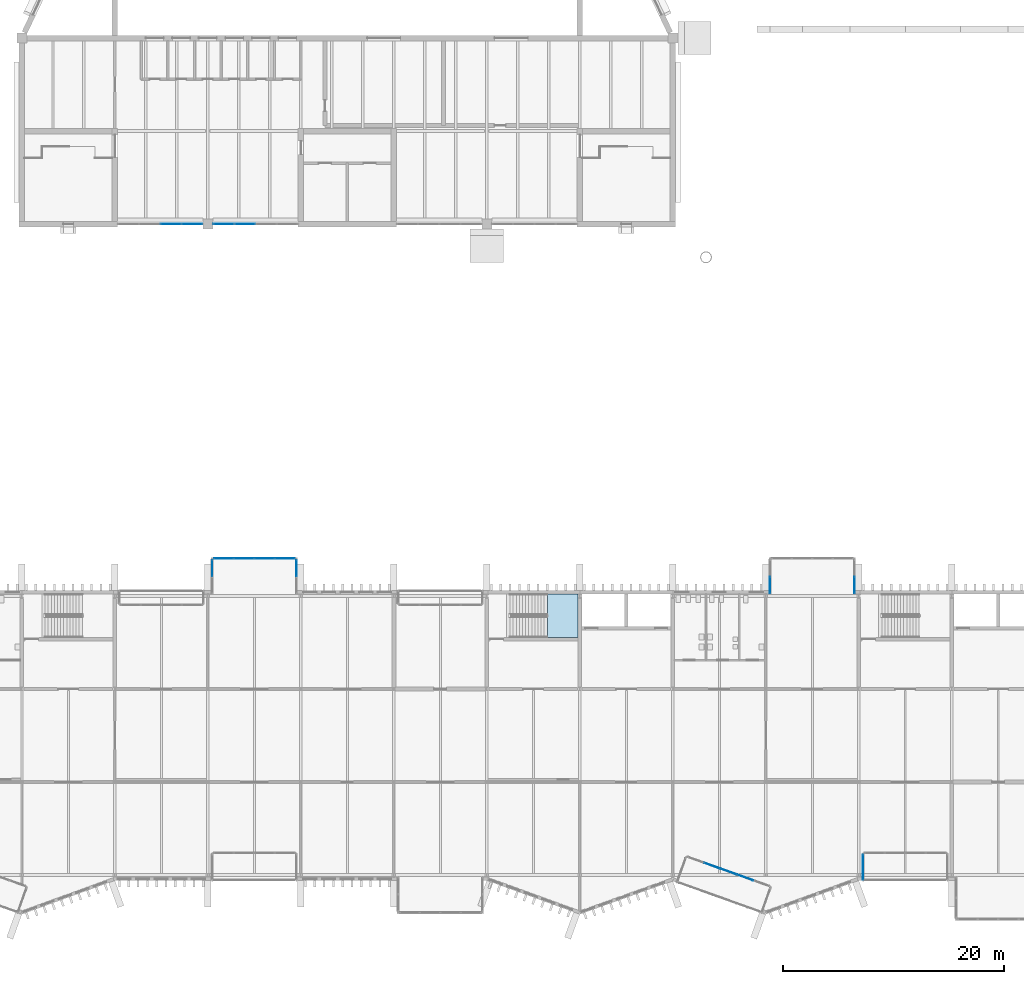
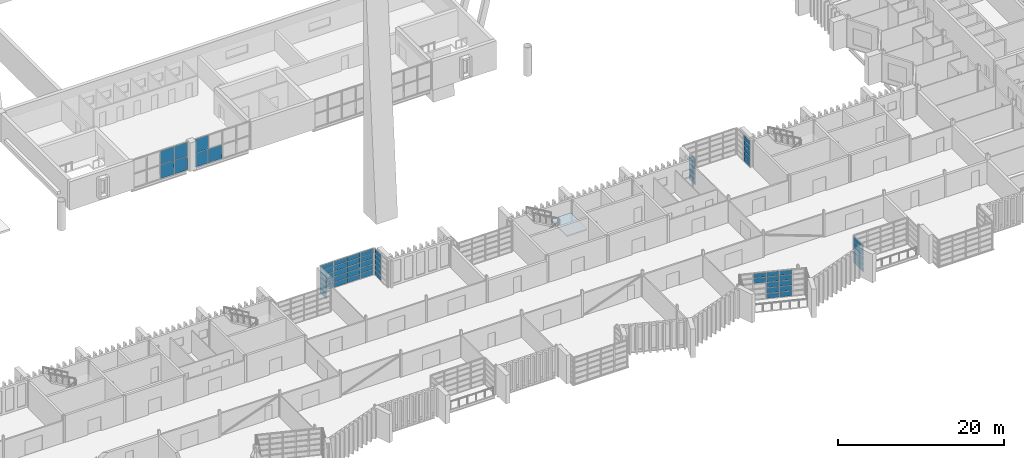
# One storey, part 48 of 88: 64 plates, 1 slab, 10 elements without a shape of their own.
"""IFC4 building model written with IfcOpenShell, lengths in metres."""

from ifc_helpers import new_model, si_unit, direction, frame, origin, origin_2d, place, context, subcontext, project, spatial, polyline, rectangle, outline, extrude, material, layer, layer_set, type_object, element, aggregate, save


model = new_model("IFC4")

# Units and contexts
model_context = context("Model", 3, precision=1e-05, world=origin(), true_north=direction((0.0, 1.0)))
body_context = subcontext(model_context, "Body", "Model", "MODEL_VIEW")
ifc_project = project(units=[si_unit("LENGTHUNIT", "METRE"), si_unit("AREAUNIT", "SQUARE_METRE"), si_unit("VOLUMEUNIT", "CUBIC_METRE"), si_unit("PLANEANGLEUNIT", "RADIAN"), si_unit("MASSUNIT", "GRAM", prefix="KILO")], contexts=[model_context])

# Site, building, storey
site_placement = place(None, origin())
site = spatial("IfcSite", under=ifc_project, at=site_placement, CompositionType="ELEMENT")
building_placement = place(site_placement, origin())
building = spatial("IfcBuilding", under=site, at=building_placement, Name="Cresset Court Congress Hotel", CompositionType="ELEMENT")
storey_placement = place(building_placement, frame((0.0, 0.0, 14.39990234375)))
storey = spatial("IfcBuildingStorey", under=building, at=storey_placement, Name="L03", CompositionType="ELEMENT", Elevation=14.39990234375)

# Curtain wall, plates
ifc_material_1 = material(Name="Aluminium frame with double glazing", Category="aluminium")
ifc_layer_1 = layer(ifc_material_1, 0.199951171875)
ifc_layer_set_1 = layer_set([ifc_layer_1], Name="Glazed box curtain wall 1680 module")
curtain_wall_type_1 = type_object("IfcCurtainWallType", Name="Glazed box curtain wall 1680 module", PredefinedType="NOTDEFINED", material=ifc_layer_set_1)
curtain_wall_1_placement = place(storey_placement, origin())
curtain_wall_1 = element("IfcCurtainWall", 1, at=curtain_wall_1_placement, inside=storey, type_object=curtain_wall_type_1, Name="Glazed box S0320 side", PredefinedType="NOTDEFINED")
ifc_material_2 = material(Name="Toughened double glazing", Category="glass")
ifc_layer_2 = layer(ifc_material_2, 0.028076171875)
ifc_layer_set_2 = layer_set([ifc_layer_2], Name="Box glass panel 28")
plate_type_1 = type_object("IfcPlateType", Name="Box glass panel 28", PredefinedType="CURTAIN_PANEL", material=ifc_layer_set_2)
plate_1_placement = place(storey_placement, frame((134.800048828125, 0.699951171875, 0.06005859375), z_axis=(0.0, 0.0, 1.0), x_axis=(0.0, 1.0, 0.0)))
plate_1 = element("IfcPlate", 2, at=plate_1_placement, type_object=plate_type_1, Name="B-X1 panel 1.1", PredefinedType="CURTAIN_PANEL", context=body_context, shape_type="SweptSolid", body=[
    extrude(rectangle(XDim=2.280029296875, YDim=0.028076171875, at=origin_2d()), origin(), (0.0, 0.0, 1.0), 0.715087890625),
])
plate_2_placement = place(storey_placement, frame((134.800048828125, 0.699951171875, 0.8349609375), z_axis=(0.0, 0.0, 1.0), x_axis=(0.0, 1.0, 0.0)))
plate_2 = element("IfcPlate", 3, at=plate_2_placement, type_object=plate_type_1, Name="B-X1 panel 1.2", PredefinedType="CURTAIN_PANEL", context=body_context, shape_type="SweptSolid", body=[
    extrude(rectangle(XDim=2.280029296875, YDim=0.028076171875, at=origin_2d()), origin(), (0.0, 0.0, 1.0), 0.7451171875),
])
plate_3_placement = place(storey_placement, frame((134.800048828125, 0.699951171875, 1.64013671875), z_axis=(0.0, 0.0, 1.0), x_axis=(0.0, 1.0, 0.0)))
plate_3 = element("IfcPlate", 4, at=plate_3_placement, type_object=plate_type_1, Name="B-X1 panel 1.3", PredefinedType="CURTAIN_PANEL", context=body_context, shape_type="SweptSolid", body=[
    extrude(rectangle(XDim=2.280029296875, YDim=0.028076171875, at=origin_2d()), origin(), (0.0, 0.0, 1.0), 0.7451171875),
])
plate_4_placement = place(storey_placement, frame((134.800048828125, 0.699951171875, 2.445068359375), z_axis=(0.0, 0.0, 1.0), x_axis=(0.0, 1.0, 0.0)))
plate_4 = element("IfcPlate", 5, at=plate_4_placement, type_object=plate_type_1, Name="B-X1 panel 1.4", PredefinedType="CURTAIN_PANEL", context=body_context, shape_type="SweptSolid", body=[
    extrude(rectangle(XDim=2.280029296875, YDim=0.028076171875, at=origin_2d()), origin(), (0.0, 0.0, 1.0), 0.7451171875),
])

curtain_wall_2_placement = place(storey_placement, origin())
curtain_wall_2 = element("IfcCurtainWall", 6, at=curtain_wall_2_placement, inside=storey, type_object=curtain_wall_type_1, Name="Glazed box S0317 front", PredefinedType="NOTDEFINED")
plate_5_placement = place(storey_placement, frame((121.149169921875, 0.837158203125, 2.445068359375), z_axis=(0.0, 0.0, 1.0), x_axis=(0.941741911601, -0.336336396981, 0.0)))
plate_5 = element("IfcPlate", 7, at=plate_5_placement, type_object=plate_type_1, Name="B-X1 panel 2.4", PredefinedType="CURTAIN_PANEL", context=body_context, shape_type="SweptSolid", body=[
    extrude(rectangle(XDim=1.52392578125, YDim=0.028076171875, at=origin_2d()), origin(), (0.0, 0.0, 1.0), 0.7451171875),
])
plate_6_placement = place(storey_placement, frame((122.640869140625, 0.304443359375, 0.06005859375), z_axis=(0.0, 0.0, 1.0), x_axis=(0.941741911601, -0.336336396981, 0.0)))
plate_6 = element("IfcPlate", 8, at=plate_6_placement, type_object=plate_type_1, Name="B-X1 panel 3.1", PredefinedType="CURTAIN_PANEL", context=body_context, shape_type="SweptSolid", body=[
    extrude(rectangle(XDim=1.52392578125, YDim=0.028076171875, at=origin_2d()), origin(), (0.0, 0.0, 1.0), 0.715087890625),
])
plate_7_placement = place(storey_placement, frame((122.640869140625, 0.304443359375, 0.8349609375), z_axis=(0.0, 0.0, 1.0), x_axis=(0.941741911601, -0.336336396981, 0.0)))
plate_7 = element("IfcPlate", 9, at=plate_7_placement, type_object=plate_type_1, Name="B-X1 panel 3.2", PredefinedType="CURTAIN_PANEL", context=body_context, shape_type="SweptSolid", body=[
    extrude(rectangle(XDim=1.52392578125, YDim=0.028076171875, at=origin_2d()), origin(), (0.0, 0.0, 1.0), 0.7451171875),
])
plate_8_placement = place(storey_placement, frame((122.640869140625, 0.304443359375, 1.64013671875), z_axis=(0.0, 0.0, 1.0), x_axis=(0.941741911601, -0.336336396981, 0.0)))
plate_8 = element("IfcPlate", 10, at=plate_8_placement, type_object=plate_type_1, Name="B-X1 panel 3.3", PredefinedType="CURTAIN_PANEL", context=body_context, shape_type="SweptSolid", body=[
    extrude(rectangle(XDim=1.52392578125, YDim=0.028076171875, at=origin_2d()), origin(), (0.0, 0.0, 1.0), 0.7451171875),
])
plate_9_placement = place(storey_placement, frame((122.640869140625, 0.304443359375, 2.445068359375), z_axis=(0.0, 0.0, 1.0), x_axis=(0.941741911601, -0.336336396981, 0.0)))
plate_9 = element("IfcPlate", 11, at=plate_9_placement, type_object=plate_type_1, Name="B-X1 panel 3.4", PredefinedType="CURTAIN_PANEL", context=body_context, shape_type="SweptSolid", body=[
    extrude(rectangle(XDim=1.52392578125, YDim=0.028076171875, at=origin_2d()), origin(), (0.0, 0.0, 1.0), 0.7451171875),
])
plate_10_placement = place(storey_placement, frame((124.132568359375, -0.228271484375, 0.06005859375), z_axis=(0.0, 0.0, 1.0), x_axis=(0.941741911601, -0.336336396981, 0.0)))
plate_10 = element("IfcPlate", 12, at=plate_10_placement, type_object=plate_type_1, Name="B-X1 panel 4.1", PredefinedType="CURTAIN_PANEL", context=body_context, shape_type="SweptSolid", body=[
    extrude(rectangle(XDim=1.52392578125, YDim=0.028076171875, at=origin_2d()), origin(), (0.0, 0.0, 1.0), 0.715087890625),
])
plate_11_placement = place(storey_placement, frame((124.132568359375, -0.228271484375, 0.8349609375), z_axis=(0.0, 0.0, 1.0), x_axis=(0.941741911601, -0.336336396981, 0.0)))
plate_11 = element("IfcPlate", 13, at=plate_11_placement, type_object=plate_type_1, Name="B-X1 panel 4.2", PredefinedType="CURTAIN_PANEL", context=body_context, shape_type="SweptSolid", body=[
    extrude(rectangle(XDim=1.52392578125, YDim=0.028076171875, at=origin_2d()), origin(), (0.0, 0.0, 1.0), 0.7451171875),
])
plate_12_placement = place(storey_placement, frame((124.132568359375, -0.228271484375, 1.64013671875), z_axis=(0.0, 0.0, 1.0), x_axis=(0.941741911601, -0.336336396981, 0.0)))
plate_12 = element("IfcPlate", 14, at=plate_12_placement, type_object=plate_type_1, Name="B-X1 panel 4.3", PredefinedType="CURTAIN_PANEL", context=body_context, shape_type="SweptSolid", body=[
    extrude(rectangle(XDim=1.52392578125, YDim=0.028076171875, at=origin_2d()), origin(), (0.0, 0.0, 1.0), 0.7451171875),
])
plate_13_placement = place(storey_placement, frame((124.132568359375, -0.228271484375, 2.445068359375), z_axis=(0.0, 0.0, 1.0), x_axis=(0.941741911601, -0.336336396981, 0.0)))
plate_13 = element("IfcPlate", 15, at=plate_13_placement, type_object=plate_type_1, Name="B-X1 panel 4.4", PredefinedType="CURTAIN_PANEL", context=body_context, shape_type="SweptSolid", body=[
    extrude(rectangle(XDim=1.52392578125, YDim=0.028076171875, at=origin_2d()), origin(), (0.0, 0.0, 1.0), 0.7451171875),
])

curtain_wall_3_placement = place(storey_placement, origin())
curtain_wall_3 = element("IfcCurtainWall", 16, at=curtain_wall_3_placement, inside=storey, type_object=curtain_wall_type_1, Name="Glazed box N0329 front", PredefinedType="NOTDEFINED")
plate_14_placement = place(storey_placement, frame((77.0400390625, 28.60009765625, 0.06005859375), z_axis=(0.0, 0.0, 1.0), x_axis=(1.0, 0.0, 0.0)))
plate_14 = element("IfcPlate", 17, at=plate_14_placement, type_object=plate_type_1, Name="B-X1 panel 1.1", PredefinedType="CURTAIN_PANEL", context=body_context, shape_type="SweptSolid", body=[
    extrude(rectangle(XDim=1.760009765625, YDim=0.028076171875, at=origin_2d()), origin(), (0.0, 0.0, 1.0), 0.715087890625),
])
plate_15_placement = place(storey_placement, frame((77.0400390625, 28.60009765625, 0.8349609375), z_axis=(0.0, 0.0, 1.0), x_axis=(1.0, 0.0, 0.0)))
plate_15 = element("IfcPlate", 18, at=plate_15_placement, type_object=plate_type_1, Name="B-X1 panel 1.2", PredefinedType="CURTAIN_PANEL", context=body_context, shape_type="SweptSolid", body=[
    extrude(rectangle(XDim=1.760009765625, YDim=0.028076171875, at=origin_2d()), origin(), (0.0, 0.0, 1.0), 0.7451171875),
])
plate_16_placement = place(storey_placement, frame((77.0400390625, 28.60009765625, 1.64013671875), z_axis=(0.0, 0.0, 1.0), x_axis=(1.0, 0.0, 0.0)))
plate_16 = element("IfcPlate", 19, at=plate_16_placement, type_object=plate_type_1, Name="B-X1 panel 1.3", PredefinedType="CURTAIN_PANEL", context=body_context, shape_type="SweptSolid", body=[
    extrude(rectangle(XDim=1.760009765625, YDim=0.028076171875, at=origin_2d()), origin(), (0.0, 0.0, 1.0), 0.7451171875),
])
plate_17_placement = place(storey_placement, frame((77.0400390625, 28.60009765625, 2.445068359375), z_axis=(0.0, 0.0, 1.0), x_axis=(1.0, 0.0, 0.0)))
plate_17 = element("IfcPlate", 20, at=plate_17_placement, type_object=plate_type_1, Name="B-X1 panel 1.4", PredefinedType="CURTAIN_PANEL", context=body_context, shape_type="SweptSolid", body=[
    extrude(rectangle(XDim=1.760009765625, YDim=0.028076171875, at=origin_2d()), origin(), (0.0, 0.0, 1.0), 0.7451171875),
])
plate_18_placement = place(storey_placement, frame((78.875, 28.60009765625, 0.06005859375), z_axis=(0.0, 0.0, 1.0), x_axis=(1.0, 0.0, 0.0)))
plate_18 = element("IfcPlate", 21, at=plate_18_placement, type_object=plate_type_1, Name="B-X1 panel 2.1", PredefinedType="CURTAIN_PANEL", context=body_context, shape_type="SweptSolid", body=[
    extrude(rectangle(XDim=1.7900390625, YDim=0.028076171875, at=origin_2d()), origin(), (0.0, 0.0, 1.0), 0.715087890625),
])
plate_19_placement = place(storey_placement, frame((78.875, 28.60009765625, 0.8349609375), z_axis=(0.0, 0.0, 1.0), x_axis=(1.0, 0.0, 0.0)))
plate_19 = element("IfcPlate", 22, at=plate_19_placement, type_object=plate_type_1, Name="B-X1 panel 2.2", PredefinedType="CURTAIN_PANEL", context=body_context, shape_type="SweptSolid", body=[
    extrude(rectangle(XDim=1.7900390625, YDim=0.028076171875, at=origin_2d()), origin(), (0.0, 0.0, 1.0), 0.7451171875),
])
plate_20_placement = place(storey_placement, frame((78.875, 28.60009765625, 1.64013671875), z_axis=(0.0, 0.0, 1.0), x_axis=(1.0, 0.0, 0.0)))
plate_20 = element("IfcPlate", 23, at=plate_20_placement, type_object=plate_type_1, Name="B-X1 panel 2.3", PredefinedType="CURTAIN_PANEL", context=body_context, shape_type="SweptSolid", body=[
    extrude(rectangle(XDim=1.7900390625, YDim=0.028076171875, at=origin_2d()), origin(), (0.0, 0.0, 1.0), 0.7451171875),
])
plate_21_placement = place(storey_placement, frame((78.875, 28.60009765625, 2.445068359375), z_axis=(0.0, 0.0, 1.0), x_axis=(1.0, 0.0, 0.0)))
plate_21 = element("IfcPlate", 24, at=plate_21_placement, type_object=plate_type_1, Name="B-X1 panel 2.4", PredefinedType="CURTAIN_PANEL", context=body_context, shape_type="SweptSolid", body=[
    extrude(rectangle(XDim=1.7900390625, YDim=0.028076171875, at=origin_2d()), origin(), (0.0, 0.0, 1.0), 0.7451171875),
])
plate_22_placement = place(storey_placement, frame((80.72509765625, 28.60009765625, 0.06005859375), z_axis=(0.0, 0.0, 1.0), x_axis=(1.0, 0.0, 0.0)))
plate_22 = element("IfcPlate", 25, at=plate_22_placement, type_object=plate_type_1, Name="B-X1 panel 3.1", PredefinedType="CURTAIN_PANEL", context=body_context, shape_type="SweptSolid", body=[
    extrude(rectangle(XDim=1.7900390625, YDim=0.028076171875, at=origin_2d()), origin(), (0.0, 0.0, 1.0), 0.715087890625),
])
plate_23_placement = place(storey_placement, frame((80.72509765625, 28.60009765625, 0.8349609375), z_axis=(0.0, 0.0, 1.0), x_axis=(1.0, 0.0, 0.0)))
plate_23 = element("IfcPlate", 26, at=plate_23_placement, type_object=plate_type_1, Name="B-X1 panel 3.2", PredefinedType="CURTAIN_PANEL", context=body_context, shape_type="SweptSolid", body=[
    extrude(rectangle(XDim=1.7900390625, YDim=0.028076171875, at=origin_2d()), origin(), (0.0, 0.0, 1.0), 0.7451171875),
])
plate_24_placement = place(storey_placement, frame((80.72509765625, 28.60009765625, 1.64013671875), z_axis=(0.0, 0.0, 1.0), x_axis=(1.0, 0.0, 0.0)))
plate_24 = element("IfcPlate", 27, at=plate_24_placement, type_object=plate_type_1, Name="B-X1 panel 3.3", PredefinedType="CURTAIN_PANEL", context=body_context, shape_type="SweptSolid", body=[
    extrude(rectangle(XDim=1.7900390625, YDim=0.028076171875, at=origin_2d()), origin(), (0.0, 0.0, 1.0), 0.7451171875),
])
plate_25_placement = place(storey_placement, frame((80.72509765625, 28.60009765625, 2.445068359375), z_axis=(0.0, 0.0, 1.0), x_axis=(1.0, 0.0, 0.0)))
plate_25 = element("IfcPlate", 28, at=plate_25_placement, type_object=plate_type_1, Name="B-X1 panel 3.4", PredefinedType="CURTAIN_PANEL", context=body_context, shape_type="SweptSolid", body=[
    extrude(rectangle(XDim=1.7900390625, YDim=0.028076171875, at=origin_2d()), origin(), (0.0, 0.0, 1.0), 0.7451171875),
])
plate_26_placement = place(storey_placement, frame((82.56005859375, 28.60009765625, 0.06005859375), z_axis=(0.0, 0.0, 1.0), x_axis=(1.0, 0.0, 0.0)))
plate_26 = element("IfcPlate", 29, at=plate_26_placement, type_object=plate_type_1, Name="B-X1 panel 4.1", PredefinedType="CURTAIN_PANEL", context=body_context, shape_type="SweptSolid", body=[
    extrude(rectangle(XDim=1.760009765625, YDim=0.028076171875, at=origin_2d()), origin(), (0.0, 0.0, 1.0), 0.715087890625),
])
plate_27_placement = place(storey_placement, frame((82.56005859375, 28.60009765625, 0.8349609375), z_axis=(0.0, 0.0, 1.0), x_axis=(1.0, 0.0, 0.0)))
plate_27 = element("IfcPlate", 30, at=plate_27_placement, type_object=plate_type_1, Name="B-X1 panel 4.2", PredefinedType="CURTAIN_PANEL", context=body_context, shape_type="SweptSolid", body=[
    extrude(rectangle(XDim=1.760009765625, YDim=0.028076171875, at=origin_2d()), origin(), (0.0, 0.0, 1.0), 0.7451171875),
])
plate_28_placement = place(storey_placement, frame((82.56005859375, 28.60009765625, 1.64013671875), z_axis=(0.0, 0.0, 1.0), x_axis=(1.0, 0.0, 0.0)))
plate_28 = element("IfcPlate", 31, at=plate_28_placement, type_object=plate_type_1, Name="B-X1 panel 4.3", PredefinedType="CURTAIN_PANEL", context=body_context, shape_type="SweptSolid", body=[
    extrude(rectangle(XDim=1.760009765625, YDim=0.028076171875, at=origin_2d()), origin(), (0.0, 0.0, 1.0), 0.7451171875),
])
plate_29_placement = place(storey_placement, frame((82.56005859375, 28.60009765625, 2.445068359375), z_axis=(0.0, 0.0, 1.0), x_axis=(1.0, 0.0, 0.0)))
plate_29 = element("IfcPlate", 32, at=plate_29_placement, type_object=plate_type_1, Name="B-X1 panel 4.4", PredefinedType="CURTAIN_PANEL", context=body_context, shape_type="SweptSolid", body=[
    extrude(rectangle(XDim=1.760009765625, YDim=0.028076171875, at=origin_2d()), origin(), (0.0, 0.0, 1.0), 0.7451171875),
])

curtain_wall_4_placement = place(storey_placement, origin())
curtain_wall_4 = element("IfcCurtainWall", 33, at=curtain_wall_4_placement, inside=storey, type_object=curtain_wall_type_1, Name="Glazed box N0329 side", PredefinedType="NOTDEFINED")
plate_30_placement = place(storey_placement, frame((76.0, 27.7099609375, 0.06005859375), z_axis=(0.0, 0.0, 1.0), x_axis=(0.0, 1.0, 0.0)))
plate_30 = element("IfcPlate", 34, at=plate_30_placement, type_object=plate_type_1, Name="B-X1 panel 2.1", PredefinedType="CURTAIN_PANEL", context=body_context, shape_type="SweptSolid", body=[
    extrude(rectangle(XDim=1.4599609375, YDim=0.028076171875, at=origin_2d()), origin(), (0.0, 0.0, 1.0), 0.715087890625),
])
plate_31_placement = place(storey_placement, frame((76.0, 27.7099609375, 0.8349609375), z_axis=(0.0, 0.0, 1.0), x_axis=(0.0, 1.0, 0.0)))
plate_31 = element("IfcPlate", 35, at=plate_31_placement, type_object=plate_type_1, Name="B-X1 panel 2.2", PredefinedType="CURTAIN_PANEL", context=body_context, shape_type="SweptSolid", body=[
    extrude(rectangle(XDim=1.4599609375, YDim=0.028076171875, at=origin_2d()), origin(), (0.0, 0.0, 1.0), 0.7451171875),
])
plate_32_placement = place(storey_placement, frame((76.0, 27.7099609375, 1.64013671875), z_axis=(0.0, 0.0, 1.0), x_axis=(0.0, 1.0, 0.0)))
plate_32 = element("IfcPlate", 36, at=plate_32_placement, type_object=plate_type_1, Name="B-X1 panel 2.3", PredefinedType="CURTAIN_PANEL", context=body_context, shape_type="SweptSolid", body=[
    extrude(rectangle(XDim=1.4599609375, YDim=0.028076171875, at=origin_2d()), origin(), (0.0, 0.0, 1.0), 0.7451171875),
])
plate_33_placement = place(storey_placement, frame((76.0, 27.7099609375, 2.445068359375), z_axis=(0.0, 0.0, 1.0), x_axis=(0.0, 1.0, 0.0)))
plate_33 = element("IfcPlate", 37, at=plate_33_placement, type_object=plate_type_1, Name="B-X1 panel 2.4", PredefinedType="CURTAIN_PANEL", context=body_context, shape_type="SweptSolid", body=[
    extrude(rectangle(XDim=1.4599609375, YDim=0.028076171875, at=origin_2d()), origin(), (0.0, 0.0, 1.0), 0.7451171875),
])

curtain_wall_5_placement = place(storey_placement, origin())
curtain_wall_5 = element("IfcCurtainWall", 38, at=curtain_wall_5_placement, inside=storey, type_object=curtain_wall_type_1, Name="Glazed box N0329 side", PredefinedType="NOTDEFINED")
plate_34_placement = place(storey_placement, frame((83.60009765625, 27.7099609375, 0.06005859375), z_axis=(0.0, 0.0, 1.0), x_axis=(0.0, 1.0, 0.0)))
plate_34 = element("IfcPlate", 39, at=plate_34_placement, type_object=plate_type_1, Name="B-X1 panel 2.1", PredefinedType="CURTAIN_PANEL", context=body_context, shape_type="SweptSolid", body=[
    extrude(rectangle(XDim=1.4599609375, YDim=0.028076171875, at=origin_2d()), origin(), (0.0, 0.0, 1.0), 0.715087890625),
])
plate_35_placement = place(storey_placement, frame((83.60009765625, 27.7099609375, 0.8349609375), z_axis=(0.0, 0.0, 1.0), x_axis=(0.0, 1.0, 0.0)))
plate_35 = element("IfcPlate", 40, at=plate_35_placement, type_object=plate_type_1, Name="B-X1 panel 2.2", PredefinedType="CURTAIN_PANEL", context=body_context, shape_type="SweptSolid", body=[
    extrude(rectangle(XDim=1.4599609375, YDim=0.028076171875, at=origin_2d()), origin(), (0.0, 0.0, 1.0), 0.7451171875),
])
plate_36_placement = place(storey_placement, frame((83.60009765625, 27.7099609375, 1.64013671875), z_axis=(0.0, 0.0, 1.0), x_axis=(0.0, 1.0, 0.0)))
plate_36 = element("IfcPlate", 41, at=plate_36_placement, type_object=plate_type_1, Name="B-X1 panel 2.3", PredefinedType="CURTAIN_PANEL", context=body_context, shape_type="SweptSolid", body=[
    extrude(rectangle(XDim=1.4599609375, YDim=0.028076171875, at=origin_2d()), origin(), (0.0, 0.0, 1.0), 0.7451171875),
])
plate_37_placement = place(storey_placement, frame((83.60009765625, 27.7099609375, 2.445068359375), z_axis=(0.0, 0.0, 1.0), x_axis=(0.0, 1.0, 0.0)))
plate_37 = element("IfcPlate", 42, at=plate_37_placement, type_object=plate_type_1, Name="B-X1 panel 2.4", PredefinedType="CURTAIN_PANEL", context=body_context, shape_type="SweptSolid", body=[
    extrude(rectangle(XDim=1.4599609375, YDim=0.028076171875, at=origin_2d()), origin(), (0.0, 0.0, 1.0), 0.7451171875),
])

curtain_wall_6_placement = place(storey_placement, origin())
curtain_wall_6 = element("IfcCurtainWall", 43, at=curtain_wall_6_placement, inside=storey, type_object=curtain_wall_type_1, Name="Glazed box N0333 side", PredefinedType="NOTDEFINED")
plate_38_placement = place(storey_placement, frame((126.39990234375, 26.18994140625, 0.06005859375), z_axis=(0.0, 0.0, 1.0), x_axis=(0.0, 1.0, 0.0)))
plate_38 = element("IfcPlate", 44, at=plate_38_placement, type_object=plate_type_1, Name="B-X1 panel 1.1", PredefinedType="CURTAIN_PANEL", context=body_context, shape_type="SweptSolid", body=[
    extrude(rectangle(XDim=1.4599609375, YDim=0.028076171875, at=origin_2d()), origin(), (0.0, 0.0, 1.0), 0.715087890625),
])
plate_39_placement = place(storey_placement, frame((126.39990234375, 26.18994140625, 0.8349609375), z_axis=(0.0, 0.0, 1.0), x_axis=(0.0, 1.0, 0.0)))
plate_39 = element("IfcPlate", 45, at=plate_39_placement, type_object=plate_type_1, Name="B-X1 panel 1.2", PredefinedType="CURTAIN_PANEL", context=body_context, shape_type="SweptSolid", body=[
    extrude(rectangle(XDim=1.4599609375, YDim=0.028076171875, at=origin_2d()), origin(), (0.0, 0.0, 1.0), 0.7451171875),
])
plate_40_placement = place(storey_placement, frame((126.39990234375, 26.18994140625, 1.64013671875), z_axis=(0.0, 0.0, 1.0), x_axis=(0.0, 1.0, 0.0)))
plate_40 = element("IfcPlate", 46, at=plate_40_placement, type_object=plate_type_1, Name="B-X1 panel 1.3", PredefinedType="CURTAIN_PANEL", context=body_context, shape_type="SweptSolid", body=[
    extrude(rectangle(XDim=1.4599609375, YDim=0.028076171875, at=origin_2d()), origin(), (0.0, 0.0, 1.0), 0.7451171875),
])
plate_41_placement = place(storey_placement, frame((126.39990234375, 26.18994140625, 2.445068359375), z_axis=(0.0, 0.0, 1.0), x_axis=(0.0, 1.0, 0.0)))
plate_41 = element("IfcPlate", 47, at=plate_41_placement, type_object=plate_type_1, Name="B-X1 panel 1.4", PredefinedType="CURTAIN_PANEL", context=body_context, shape_type="SweptSolid", body=[
    extrude(rectangle(XDim=1.4599609375, YDim=0.028076171875, at=origin_2d()), origin(), (0.0, 0.0, 1.0), 0.7451171875),
])

curtain_wall_7_placement = place(storey_placement, origin())
curtain_wall_7 = element("IfcCurtainWall", 48, at=curtain_wall_7_placement, inside=storey, type_object=curtain_wall_type_1, Name="Glazed box N0333 side", PredefinedType="NOTDEFINED")
plate_42_placement = place(storey_placement, frame((134.0, 26.18994140625, 0.06005859375), z_axis=(0.0, 0.0, 1.0), x_axis=(0.0, 1.0, 0.0)))
plate_42 = element("IfcPlate", 49, at=plate_42_placement, type_object=plate_type_1, Name="B-X1 panel 1.1", PredefinedType="CURTAIN_PANEL", context=body_context, shape_type="SweptSolid", body=[
    extrude(rectangle(XDim=1.4599609375, YDim=0.028076171875, at=origin_2d()), origin(), (0.0, 0.0, 1.0), 0.715087890625),
])
plate_43_placement = place(storey_placement, frame((134.0, 26.18994140625, 0.8349609375), z_axis=(0.0, 0.0, 1.0), x_axis=(0.0, 1.0, 0.0)))
plate_43 = element("IfcPlate", 50, at=plate_43_placement, type_object=plate_type_1, Name="B-X1 panel 1.2", PredefinedType="CURTAIN_PANEL", context=body_context, shape_type="SweptSolid", body=[
    extrude(rectangle(XDim=1.4599609375, YDim=0.028076171875, at=origin_2d()), origin(), (0.0, 0.0, 1.0), 0.7451171875),
])
plate_44_placement = place(storey_placement, frame((134.0, 26.18994140625, 1.64013671875), z_axis=(0.0, 0.0, 1.0), x_axis=(0.0, 1.0, 0.0)))
plate_44 = element("IfcPlate", 51, at=plate_44_placement, type_object=plate_type_1, Name="B-X1 panel 1.3", PredefinedType="CURTAIN_PANEL", context=body_context, shape_type="SweptSolid", body=[
    extrude(rectangle(XDim=1.4599609375, YDim=0.028076171875, at=origin_2d()), origin(), (0.0, 0.0, 1.0), 0.7451171875),
])
plate_45_placement = place(storey_placement, frame((134.0, 26.18994140625, 2.445068359375), z_axis=(0.0, 0.0, 1.0), x_axis=(0.0, 1.0, 0.0)))
plate_45 = element("IfcPlate", 52, at=plate_45_placement, type_object=plate_type_1, Name="B-X1 panel 1.4", PredefinedType="CURTAIN_PANEL", context=body_context, shape_type="SweptSolid", body=[
    extrude(rectangle(XDim=1.4599609375, YDim=0.028076171875, at=origin_2d()), origin(), (0.0, 0.0, 1.0), 0.7451171875),
])

# Plate
ifc_material_3 = material(Name="Insulated aluminium spandrel panel", Category="aluminium")
ifc_layer_3 = layer(ifc_material_3, 0.0400390625)
ifc_layer_set_3 = layer_set([ifc_layer_3], Name="Box spandrel panel 40")
plate_type_2 = type_object("IfcPlateType", Name="Box spandrel panel 40", PredefinedType="CURTAIN_PANEL", material=ifc_layer_set_3)
plate_46_placement = place(storey_placement, frame((134.800048828125, 0.699951171875, 3.25), z_axis=(0.0, 0.0, 1.0), x_axis=(0.0, 1.0, 0.0)))
plate_46 = element("IfcPlate", 53, at=plate_46_placement, type_object=plate_type_2, Name="B-X1 spandrel panel 1.5", PredefinedType="CURTAIN_PANEL", context=body_context, shape_type="SweptSolid", body=[
    extrude(rectangle(XDim=2.280029296875, YDim=0.0400390625, at=origin_2d()), origin(), (0.0, 0.0, 1.0), 0.639892578125),
])

aggregate(curtain_wall_1, [plate_1, plate_2, plate_3, plate_4, plate_46])

plate_47_placement = place(storey_placement, frame((121.149169921875, 0.837158203125, 3.25), z_axis=(0.0, 0.0, 1.0), x_axis=(0.941741911601, -0.336336396981, 0.0)))
plate_47 = element("IfcPlate", 54, at=plate_47_placement, type_object=plate_type_2, Name="B-X1 spandrel panel 2.5", PredefinedType="CURTAIN_PANEL", context=body_context, shape_type="SweptSolid", body=[
    extrude(rectangle(XDim=1.52392578125, YDim=0.0400390625, at=origin_2d()), origin(), (0.0, 0.0, 1.0), 0.639892578125),
])

plate_48_placement = place(storey_placement, frame((122.640869140625, 0.304443359375, 3.25), z_axis=(0.0, 0.0, 1.0), x_axis=(0.941741911601, -0.336336396981, 0.0)))
plate_48 = element("IfcPlate", 55, at=plate_48_placement, type_object=plate_type_2, Name="B-X1 spandrel panel 3.5", PredefinedType="CURTAIN_PANEL", context=body_context, shape_type="SweptSolid", body=[
    extrude(rectangle(XDim=1.52392578125, YDim=0.0400390625, at=origin_2d()), origin(), (0.0, 0.0, 1.0), 0.639892578125),
])

plate_49_placement = place(storey_placement, frame((124.132568359375, -0.228271484375, 3.25), z_axis=(0.0, 0.0, 1.0), x_axis=(0.941741911601, -0.336336396981, 0.0)))
plate_49 = element("IfcPlate", 56, at=plate_49_placement, type_object=plate_type_2, Name="B-X1 spandrel panel 4.5", PredefinedType="CURTAIN_PANEL", context=body_context, shape_type="SweptSolid", body=[
    extrude(rectangle(XDim=1.52392578125, YDim=0.0400390625, at=origin_2d()), origin(), (0.0, 0.0, 1.0), 0.639892578125),
])

aggregate(curtain_wall_2, [plate_5, plate_47, plate_6, plate_7, plate_8, plate_9, plate_48, plate_10, plate_11, plate_12, plate_13, plate_49])

plate_50_placement = place(storey_placement, frame((77.0400390625, 28.60009765625, 3.25), z_axis=(0.0, 0.0, 1.0), x_axis=(1.0, 0.0, 0.0)))
plate_50 = element("IfcPlate", 57, at=plate_50_placement, type_object=plate_type_2, Name="B-X1 spandrel panel 1.5", PredefinedType="CURTAIN_PANEL", context=body_context, shape_type="SweptSolid", body=[
    extrude(rectangle(XDim=1.760009765625, YDim=0.0400390625, at=origin_2d()), origin(), (0.0, 0.0, 1.0), 0.639892578125),
])

plate_51_placement = place(storey_placement, frame((78.875, 28.60009765625, 3.25), z_axis=(0.0, 0.0, 1.0), x_axis=(1.0, 0.0, 0.0)))
plate_51 = element("IfcPlate", 58, at=plate_51_placement, type_object=plate_type_2, Name="B-X1 spandrel panel 2.5", PredefinedType="CURTAIN_PANEL", context=body_context, shape_type="SweptSolid", body=[
    extrude(rectangle(XDim=1.7900390625, YDim=0.0400390625, at=origin_2d()), origin(), (0.0, 0.0, 1.0), 0.639892578125),
])

plate_52_placement = place(storey_placement, frame((80.72509765625, 28.60009765625, 3.25), z_axis=(0.0, 0.0, 1.0), x_axis=(1.0, 0.0, 0.0)))
plate_52 = element("IfcPlate", 59, at=plate_52_placement, type_object=plate_type_2, Name="B-X1 spandrel panel 3.5", PredefinedType="CURTAIN_PANEL", context=body_context, shape_type="SweptSolid", body=[
    extrude(rectangle(XDim=1.7900390625, YDim=0.0400390625, at=origin_2d()), origin(), (0.0, 0.0, 1.0), 0.639892578125),
])

plate_53_placement = place(storey_placement, frame((82.56005859375, 28.60009765625, 3.25), z_axis=(0.0, 0.0, 1.0), x_axis=(1.0, 0.0, 0.0)))
plate_53 = element("IfcPlate", 60, at=plate_53_placement, type_object=plate_type_2, Name="B-X1 spandrel panel 4.5", PredefinedType="CURTAIN_PANEL", context=body_context, shape_type="SweptSolid", body=[
    extrude(rectangle(XDim=1.760009765625, YDim=0.0400390625, at=origin_2d()), origin(), (0.0, 0.0, 1.0), 0.639892578125),
])

aggregate(curtain_wall_3, [plate_14, plate_15, plate_16, plate_17, plate_50, plate_18, plate_19, plate_20, plate_21, plate_51, plate_22, plate_23, plate_24, plate_25, plate_52, plate_26, plate_27, plate_28, plate_29, plate_53])

plate_54_placement = place(storey_placement, frame((76.0, 27.7099609375, 3.25), z_axis=(0.0, 0.0, 1.0), x_axis=(0.0, 1.0, 0.0)))
plate_54 = element("IfcPlate", 61, at=plate_54_placement, type_object=plate_type_2, Name="B-X1 spandrel panel 2.5", PredefinedType="CURTAIN_PANEL", context=body_context, shape_type="SweptSolid", body=[
    extrude(rectangle(XDim=1.4599609375, YDim=0.0400390625, at=origin_2d()), origin(), (0.0, 0.0, 1.0), 0.639892578125),
])

aggregate(curtain_wall_4, [plate_30, plate_31, plate_32, plate_33, plate_54])

plate_55_placement = place(storey_placement, frame((83.60009765625, 27.7099609375, 3.25), z_axis=(0.0, 0.0, 1.0), x_axis=(0.0, 1.0, 0.0)))
plate_55 = element("IfcPlate", 62, at=plate_55_placement, type_object=plate_type_2, Name="B-X1 spandrel panel 2.5", PredefinedType="CURTAIN_PANEL", context=body_context, shape_type="SweptSolid", body=[
    extrude(rectangle(XDim=1.4599609375, YDim=0.0400390625, at=origin_2d()), origin(), (0.0, 0.0, 1.0), 0.639892578125),
])

aggregate(curtain_wall_5, [plate_34, plate_35, plate_36, plate_37, plate_55])

plate_56_placement = place(storey_placement, frame((126.39990234375, 26.18994140625, 3.25), z_axis=(0.0, 0.0, 1.0), x_axis=(0.0, 1.0, 0.0)))
plate_56 = element("IfcPlate", 63, at=plate_56_placement, type_object=plate_type_2, Name="B-X1 spandrel panel 1.5", PredefinedType="CURTAIN_PANEL", context=body_context, shape_type="SweptSolid", body=[
    extrude(rectangle(XDim=1.4599609375, YDim=0.0400390625, at=origin_2d()), origin(), (0.0, 0.0, 1.0), 0.639892578125),
])

aggregate(curtain_wall_6, [plate_38, plate_39, plate_40, plate_41, plate_56])

plate_57_placement = place(storey_placement, frame((134.0, 26.18994140625, 3.25), z_axis=(0.0, 0.0, 1.0), x_axis=(0.0, 1.0, 0.0)))
plate_57 = element("IfcPlate", 64, at=plate_57_placement, type_object=plate_type_2, Name="B-X1 spandrel panel 1.5", PredefinedType="CURTAIN_PANEL", context=body_context, shape_type="SweptSolid", body=[
    extrude(rectangle(XDim=1.4599609375, YDim=0.0400390625, at=origin_2d()), origin(), (0.0, 0.0, 1.0), 0.639892578125),
])

aggregate(curtain_wall_7, [plate_42, plate_43, plate_44, plate_45, plate_57])

# Curtain wall, plates
ifc_material_4 = material(Name="Aluminium and glass", Category="aluminium")
ifc_layer_4 = layer(ifc_material_4, 0.199951171875)
ifc_layer_set_4 = layer_set([ifc_layer_4], Name="Foyer curtain wall 1925 module")
curtain_wall_type_2 = type_object("IfcCurtainWallType", Name="Foyer curtain wall 1925 module", PredefinedType="NOTDEFINED", material=ifc_layer_set_4)
curtain_wall_8_placement = place(storey_placement, origin())
curtain_wall_8 = element("IfcCurtainWall", 65, at=curtain_wall_8_placement, inside=storey, type_object=curtain_wall_type_2, Name="Curtain wall CX-031", PredefinedType="NOTDEFINED")
ifc_material_5 = material(Name="Laminated glass", Category="glass")
ifc_layer_5 = layer(ifc_material_5, 0.028076171875)
ifc_layer_set_5 = layer_set([ifc_layer_5], Name="Curtain wall glass panel 28")
plate_type_3 = type_object("IfcPlateType", Name="Curtain wall glass panel 28", PredefinedType="CURTAIN_PANEL", material=ifc_layer_set_5)
plate_58_placement = place(storey_placement, frame((72.262451171875, 58.800048828125, 0.06005859375), z_axis=(0.0, 0.0, 1.0), x_axis=(1.0, 0.0, 0.0)))
plate_58 = element("IfcPlate", 66, at=plate_58_placement, type_object=plate_type_3, Name="C-X1 panel 3.1", PredefinedType="CURTAIN_PANEL", context=body_context, shape_type="SweptSolid", body=[
    extrude(rectangle(XDim=1.864990234375, YDim=0.028076171875, at=origin_2d()), origin(), (0.0, 0.0, 1.0), 2.010009765625),
])
plate_59_placement = place(storey_placement, frame((72.262451171875, 58.800048828125, 2.1298828125), z_axis=(0.0, 0.0, 1.0), x_axis=(1.0, 0.0, 0.0)))
plate_59 = element("IfcPlate", 67, at=plate_59_placement, type_object=plate_type_3, Name="C-X1 panel 3.2", PredefinedType="CURTAIN_PANEL", context=body_context, shape_type="SweptSolid", body=[
    extrude(rectangle(XDim=1.864990234375, YDim=0.028076171875, at=origin_2d()), origin(), (0.0, 0.0, 1.0), 2.010009765625),
])
plate_60_placement = place(storey_placement, frame((74.172607421875, 58.800048828125, 0.06005859375), z_axis=(0.0, 0.0, 1.0), x_axis=(1.0, 0.0, 0.0)))
plate_60 = element("IfcPlate", 68, at=plate_60_placement, type_object=plate_type_3, Name="C-X1 panel 4.1", PredefinedType="CURTAIN_PANEL", context=body_context, shape_type="SweptSolid", body=[
    extrude(rectangle(XDim=1.8349609375, YDim=0.028076171875, at=origin_2d()), origin(), (0.0, 0.0, 1.0), 2.010009765625),
])
plate_61_placement = place(storey_placement, frame((74.172607421875, 58.800048828125, 2.1298828125), z_axis=(0.0, 0.0, 1.0), x_axis=(1.0, 0.0, 0.0)))
plate_61 = element("IfcPlate", 69, at=plate_61_placement, type_object=plate_type_3, Name="C-X1 panel 4.2", PredefinedType="CURTAIN_PANEL", context=body_context, shape_type="SweptSolid", body=[
    extrude(rectangle(XDim=1.8349609375, YDim=0.028076171875, at=origin_2d()), origin(), (0.0, 0.0, 1.0), 2.010009765625),
])
aggregate(curtain_wall_8, [plate_58, plate_59, plate_60, plate_61])

curtain_wall_9_placement = place(storey_placement, origin())
curtain_wall_9 = element("IfcCurtainWall", 70, at=curtain_wall_9_placement, inside=storey, type_object=curtain_wall_type_2, Name="Curtain wall CX-032", PredefinedType="NOTDEFINED")
plate_62_placement = place(storey_placement, frame((77.027587890625, 58.800048828125, 0.06005859375), z_axis=(0.0, 0.0, 1.0), x_axis=(1.0, 0.0, 0.0)))
plate_62 = element("IfcPlate", 71, at=plate_62_placement, type_object=plate_type_3, Name="C-X1 panel 1.1", PredefinedType="CURTAIN_PANEL", context=body_context, shape_type="SweptSolid", body=[
    extrude(rectangle(XDim=1.8349609375, YDim=0.028076171875, at=origin_2d()), origin(), (0.0, 0.0, 1.0), 2.010009765625),
])
plate_63_placement = place(storey_placement, frame((77.027587890625, 58.800048828125, 2.1298828125), z_axis=(0.0, 0.0, 1.0), x_axis=(1.0, 0.0, 0.0)))
plate_63 = element("IfcPlate", 72, at=plate_63_placement, type_object=plate_type_3, Name="C-X1 panel 1.2", PredefinedType="CURTAIN_PANEL", context=body_context, shape_type="SweptSolid", body=[
    extrude(rectangle(XDim=1.8349609375, YDim=0.028076171875, at=origin_2d()), origin(), (0.0, 0.0, 1.0), 2.010009765625),
])
plate_64_placement = place(storey_placement, frame((78.9375, 58.800048828125, 0.06005859375), z_axis=(0.0, 0.0, 1.0), x_axis=(1.0, 0.0, 0.0)))
plate_64 = element("IfcPlate", 73, at=plate_64_placement, type_object=plate_type_3, Name="C-X1 panel 2.1", PredefinedType="CURTAIN_PANEL", context=body_context, shape_type="SweptSolid", body=[
    extrude(rectangle(XDim=1.864990234375, YDim=0.028076171875, at=origin_2d()), origin(), (0.0, 0.0, 1.0), 2.010009765625),
])
aggregate(curtain_wall_9, [plate_62, plate_63, plate_64])

# Stair, slab
ifc_material_6 = material(Name="Concrete C40", Category="concrete")
stair_type = type_object("IfcStairType", Name="Dog-leg stair 1400 flights", PredefinedType="HALF_TURN_STAIR", material=ifc_material_6)
stair_placement = place(storey_placement, origin())
stair = element("IfcStair", 74, at=stair_placement, inside=storey, type_object=stair_type, Name="L03 Stair ST-B4", PredefinedType="HALF_TURN_STAIR")
ifc_material_7 = material(Name="Concrete C40", Category="concrete")
ifc_layer_6 = layer(ifc_material_7, 0.199951171875)
ifc_layer_set_6 = layer_set([ifc_layer_6], Name="Stair landing 200")
slab_type = type_object("IfcSlabType", Name="Stair landing 200", PredefinedType="LANDING", material=ifc_layer_set_6)
slab_placement = place(storey_placement, frame((0.0, 0.0, 1.900146484375)))
slab = element("IfcSlab", 75, at=slab_placement, type_object=slab_type, Name="ST-B4 landing 1", PredefinedType="LANDING", context=body_context, shape_type="SweptSolid", body=[
    extrude(outline(polyline([(106.260009765625, 21.449951171875), (109.050048828125, 21.449951171875), (109.050048828125, 25.39990234375), (106.260009765625, 25.39990234375), (106.260009765625, 21.449951171875)])), origin(), (0.0, 0.0, 1.0), 0.199951171875),
])
aggregate(stair, [slab])

save(model, "model.ifc")
